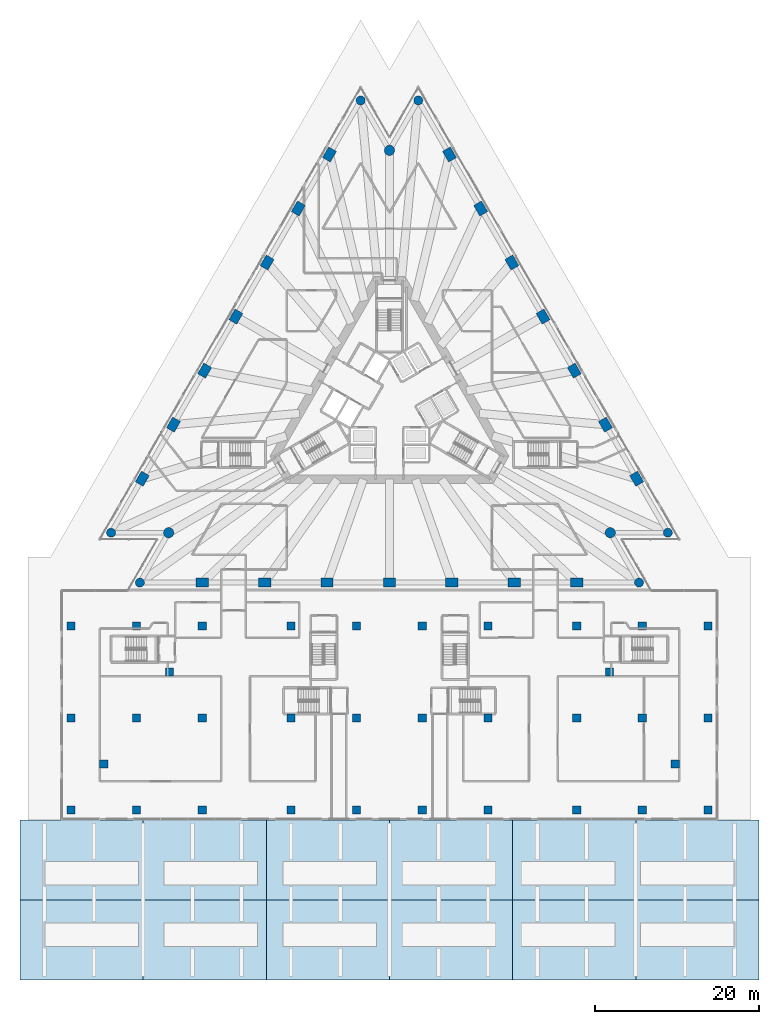
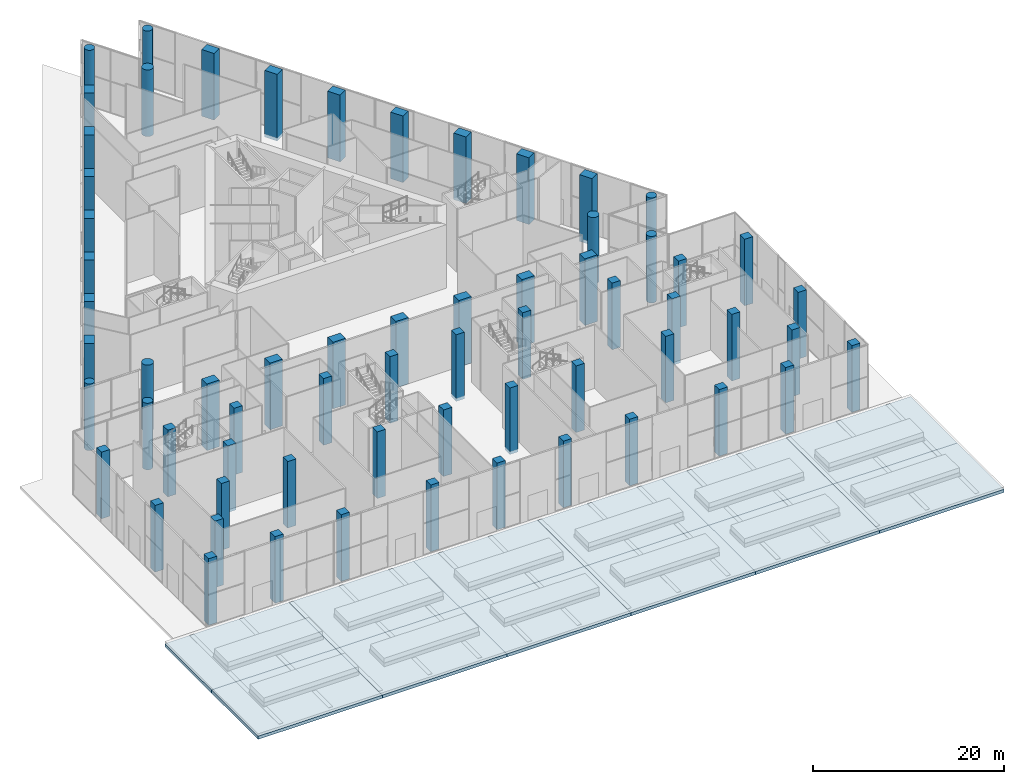
# One storey, part 1 of 41: 64 columns, 12 footings.
"""IFC4 building model written with IfcOpenShell, lengths in metres."""

from ifc_helpers import new_model, si_unit, direction, frame, origin, origin_2d, place, context, subcontext, project, spatial, polyline, rectangle, circle, outline, extrude, material, layer, layer_set, material_profile, profile_set, type_object, element, save


model = new_model("IFC4")

# Units and contexts
model_context = context("Model", 3, precision=1e-05, world=origin(), true_north=direction((0.0, 1.0)))
body_context = subcontext(model_context, "Body", "Model", "MODEL_VIEW")
ifc_project = project(units=[si_unit("LENGTHUNIT", "METRE"), si_unit("AREAUNIT", "SQUARE_METRE"), si_unit("VOLUMEUNIT", "CUBIC_METRE"), si_unit("PLANEANGLEUNIT", "RADIAN"), si_unit("MASSUNIT", "GRAM", prefix="KILO")], contexts=[model_context])

# Site, building, storey
site_placement = place(None, origin())
site = spatial("IfcSite", under=ifc_project, at=site_placement, CompositionType="ELEMENT")
building_placement = place(site_placement, origin())
building = spatial("IfcBuilding", under=site, at=building_placement, Name="Triada Interchange Tower", CompositionType="ELEMENT")
storey_placement = place(building_placement, origin())
storey = spatial("IfcBuildingStorey", under=building, at=storey_placement, Name="L00", CompositionType="ELEMENT", Elevation=0.0)

# Footings
ifc_material_1 = material(Name="Concrete C30/37", Category="concrete")
ifc_layer = layer(ifc_material_1, 0.39990234375)
ifc_layer_set = layer_set([ifc_layer], Name="Concrete C30/37")
footing_type = type_object("IfcFootingType", Name="Plaza ground slab 400", PredefinedType="USERDEFINED", material=ifc_layer_set)
footing_1_placement = place(storey_placement, frame((0.0, 0.0, -0.699951171875)))
element("IfcFooting", 1, at=footing_1_placement, inside=storey, type_object=footing_type, Name="Plaza ground slab 01", ObjectType="GROUND SLAB", PredefinedType="USERDEFINED", context=body_context, shape_type="SweptSolid", body=[
    extrude(outline(polyline([(-30.0, -70.0), (-30.0, -60.25), (-45.0, -60.25), (-45.0, -70.0), (-30.0, -70.0)])), origin(), (0.0, 0.0, 1.0), 0.39990234375),
])
footing_2_placement = place(storey_placement, frame((0.0, 0.0, -0.699951171875)))
element("IfcFooting", 2, at=footing_2_placement, inside=storey, type_object=footing_type, Name="Plaza ground slab 02", ObjectType="GROUND SLAB", PredefinedType="USERDEFINED", context=body_context, shape_type="SweptSolid", body=[
    extrude(outline(polyline([(-45.0, -60.25), (-30.0, -60.25), (-30.0, -50.5), (-40.0, -50.5), (-45.0, -50.5), (-45.0, -60.25)])), origin(), (0.0, 0.0, 1.0), 0.39990234375),
])
footing_3_placement = place(storey_placement, frame((0.0, 0.0, -0.699951171875)))
element("IfcFooting", 3, at=footing_3_placement, inside=storey, type_object=footing_type, Name="Plaza ground slab 03", ObjectType="GROUND SLAB", PredefinedType="USERDEFINED", context=body_context, shape_type="SweptSolid", body=[
    extrude(outline(polyline([(-15.0, -70.0), (-15.0, -60.25), (-30.0, -60.25), (-30.0, -70.0), (-15.0, -70.0)])), origin(), (0.0, 0.0, 1.0), 0.39990234375),
])
footing_4_placement = place(storey_placement, frame((0.0, 0.0, -0.699951171875)))
element("IfcFooting", 4, at=footing_4_placement, inside=storey, type_object=footing_type, Name="Plaza ground slab 04", ObjectType="GROUND SLAB", PredefinedType="USERDEFINED", context=body_context, shape_type="SweptSolid", body=[
    extrude(outline(polyline([(-30.0, -50.5), (-30.0, -60.25), (-15.0, -60.25), (-15.0, -50.5), (-30.0, -50.5)])), origin(), (0.0, 0.0, 1.0), 0.39990234375),
])
footing_5_placement = place(storey_placement, frame((0.0, 0.0, -0.699951171875)))
element("IfcFooting", 5, at=footing_5_placement, inside=storey, type_object=footing_type, Name="Plaza ground slab 05", ObjectType="GROUND SLAB", PredefinedType="USERDEFINED", context=body_context, shape_type="SweptSolid", body=[
    extrude(outline(polyline([(0.0, -70.0), (0.0, -60.25), (-15.0, -60.25), (-15.0, -70.0), (0.0, -70.0)])), origin(), (0.0, 0.0, 1.0), 0.39990234375),
])
footing_6_placement = place(storey_placement, frame((0.0, 0.0, -0.699951171875)))
element("IfcFooting", 6, at=footing_6_placement, inside=storey, type_object=footing_type, Name="Plaza ground slab 06", ObjectType="GROUND SLAB", PredefinedType="USERDEFINED", context=body_context, shape_type="SweptSolid", body=[
    extrude(outline(polyline([(-15.0, -50.5), (-15.0, -60.25), (0.0, -60.25), (0.0, -50.5), (-15.0, -50.5)])), origin(), (0.0, 0.0, 1.0), 0.39990234375),
])
footing_7_placement = place(storey_placement, frame((0.0, 0.0, -0.699951171875)))
element("IfcFooting", 7, at=footing_7_placement, inside=storey, type_object=footing_type, Name="Plaza ground slab 07", ObjectType="GROUND SLAB", PredefinedType="USERDEFINED", context=body_context, shape_type="SweptSolid", body=[
    extrude(outline(polyline([(15.0, -70.0), (15.0, -60.25), (0.0, -60.25), (0.0, -70.0), (15.0, -70.0)])), origin(), (0.0, 0.0, 1.0), 0.39990234375),
])
footing_8_placement = place(storey_placement, frame((0.0, 0.0, -0.699951171875)))
element("IfcFooting", 8, at=footing_8_placement, inside=storey, type_object=footing_type, Name="Plaza ground slab 08", ObjectType="GROUND SLAB", PredefinedType="USERDEFINED", context=body_context, shape_type="SweptSolid", body=[
    extrude(outline(polyline([(0.0, -50.5), (0.0, -60.25), (15.0, -60.25), (15.0, -50.5), (0.0, -50.5)])), origin(), (0.0, 0.0, 1.0), 0.39990234375),
])
footing_9_placement = place(storey_placement, frame((0.0, 0.0, -0.699951171875)))
element("IfcFooting", 9, at=footing_9_placement, inside=storey, type_object=footing_type, Name="Plaza ground slab 09", ObjectType="GROUND SLAB", PredefinedType="USERDEFINED", context=body_context, shape_type="SweptSolid", body=[
    extrude(outline(polyline([(30.0, -70.0), (30.0, -60.25), (15.0, -60.25), (15.0, -70.0), (30.0, -70.0)])), origin(), (0.0, 0.0, 1.0), 0.39990234375),
])
footing_10_placement = place(storey_placement, frame((0.0, 0.0, -0.699951171875)))
element("IfcFooting", 10, at=footing_10_placement, inside=storey, type_object=footing_type, Name="Plaza ground slab 10", ObjectType="GROUND SLAB", PredefinedType="USERDEFINED", context=body_context, shape_type="SweptSolid", body=[
    extrude(outline(polyline([(15.0, -50.5), (15.0, -60.25), (30.0, -60.25), (30.0, -50.5), (15.0, -50.5)])), origin(), (0.0, 0.0, 1.0), 0.39990234375),
])
footing_11_placement = place(storey_placement, frame((0.0, 0.0, -0.699951171875)))
element("IfcFooting", 11, at=footing_11_placement, inside=storey, type_object=footing_type, Name="Plaza ground slab 11", ObjectType="GROUND SLAB", PredefinedType="USERDEFINED", context=body_context, shape_type="SweptSolid", body=[
    extrude(outline(polyline([(45.0, -60.25), (30.0, -60.25), (30.0, -70.0), (45.0, -70.0), (45.0, -60.25)])), origin(), (0.0, 0.0, 1.0), 0.39990234375),
])
footing_12_placement = place(storey_placement, frame((0.0, 0.0, -0.699951171875)))
element("IfcFooting", 12, at=footing_12_placement, inside=storey, type_object=footing_type, Name="Plaza ground slab 12", ObjectType="GROUND SLAB", PredefinedType="USERDEFINED", context=body_context, shape_type="SweptSolid", body=[
    extrude(outline(polyline([(45.0, -50.5), (40.0, -50.5), (30.0, -50.5), (30.0, -60.25), (45.0, -60.25), (45.0, -50.5)])), origin(), (0.0, 0.0, 1.0), 0.39990234375),
])

# Columns
ifc_material_2 = material(Name="Concrete C70/85", Category="concrete")
ifc_material_profile_1 = material_profile(ifc_material_2, rectangle(XDim=1.5, YDim=1.10009765625, at=origin_2d()), Name="RC 1500x1100")
ifc_profile_set_1 = profile_set([ifc_material_profile_1], Name="Concrete C70/85")
column_type_1 = type_object("IfcColumnType", Name="Column P face RC 1500x1100", PredefinedType="COLUMN", material=ifc_profile_set_1)
for number, where, z_axis, x_axis, name in (
    (13, (-7.306884765625, 30.5439453125, -0.39990234375), (0.0, 0.0, 1.0), (0.5, 0.866025403784, 0.0), "Column CP02 L00"),
    (14, (-11.10595703125, 23.9619140625, -0.39990234375), (0.0, 0.0, 1.0), (0.5, 0.866025403784, 0.0), "Column CP03 L00"),
    (15, (-14.906005859375, 17.381103515625, -0.39990234375), (0.0, 0.0, 1.0), (0.5, 0.866025403784, 0.0), "Column CP04 L00"),
    (16, (-18.7060546875, 10.800048828125, -0.39990234375), (0.0, 0.0, 1.0), (0.5, 0.866025403784, 0.0), "Column CP05 L00"),
    (17, (-22.506103515625, 4.218994140625, -0.39990234375), (0.0, 0.0, 1.0), (0.5, 0.866025403784, 0.0), "Column CP06 L00"),
    (18, (-26.305908203125, -2.362060546875, -0.39990234375), (0.0, 0.0, 1.0), (0.5, 0.866025403784, 0.0), "Column CP07 L00"),
    (19, (-30.10498046875, -8.944091796875, -0.39990234375), (0.0, 0.0, 1.0), (0.5, 0.866025403784, 0.0), "Column CP08 L00"),
    (20, (-22.798095703125, -21.60009765625, -0.39990234375), (0.0, 0.0, 1.0), (1.0, 0.0, 0.0), "Column CP11 L00"),
    (21, (-15.197998046875, -21.60009765625, -0.39990234375), (0.0, 0.0, 1.0), (1.0, 0.0, 0.0), "Column CP12 L00"),
    (22, (-7.59912109375, -21.60009765625, -0.39990234375), (0.0, 0.0, 1.0), (1.0, 0.0, 0.0), "Column CP13 L00"),
    (23, (0.0, -21.60009765625, -0.39990234375), (0.0, 0.0, 1.0), (1.0, 0.0, 0.0), "Column CP14 L00"),
    (24, (7.59912109375, -21.60009765625, -0.39990234375), (0.0, 0.0, 1.0), (1.0, 0.0, 0.0), "Column CP15 L00"),
    (25, (15.198974609375, -21.60009765625, -0.39990234375), (0.0, 0.0, 1.0), (1.0, 0.0, 0.0), "Column CP16 L00"),
    (26, (22.798095703125, -21.60009765625, -0.39990234375), (0.0, 0.0, 1.0), (1.0, 0.0, 0.0), "Column CP17 L00"),
    (27, (30.10498046875, -8.944091796875, -0.39990234375), (0.0, 0.0, 1.0), (-0.5, 0.866025403784, 0.0), "Column CP20 L00"),
    (28, (26.305908203125, -2.363037109375, -0.39990234375), (0.0, 0.0, 1.0), (-0.5, 0.866025403784, 0.0), "Column CP21 L00"),
    (29, (22.506103515625, 4.218994140625, -0.39990234375), (0.0, 0.0, 1.0), (-0.5, 0.866025403784, 0.0), "Column CP22 L00"),
    (30, (18.7060546875, 10.800048828125, -0.39990234375), (0.0, 0.0, 1.0), (-0.5, 0.866025403784, 0.0), "Column CP23 L00"),
    (31, (14.906005859375, 17.381103515625, -0.39990234375), (0.0, 0.0, 1.0), (-0.5, 0.866025403784, 0.0), "Column CP24 L00"),
    (32, (11.10595703125, 23.9619140625, -0.39990234375), (0.0, 0.0, 1.0), (-0.5, 0.866025403784, 0.0), "Column CP25 L00"),
    (33, (7.306884765625, 30.5439453125, -0.39990234375), (0.0, 0.0, 1.0), (-0.5, 0.866025403784, 0.0), "Column CP26 L00"),
):
    element("IfcColumn", number, at=place(storey_placement, frame(where, z_axis=z_axis, x_axis=x_axis)), inside=storey, type_object=column_type_1, Name=name, PredefinedType="COLUMN", context=body_context, shape_type="SweptSolid", body=[
        extrude(rectangle(XDim=1.5, YDim=1.10009765625, at=origin_2d()), origin(), (0.0, 0.0, 1.0), 8.5),
    ])
ifc_material_3 = material(Name="Concrete C50/60", Category="concrete")
ifc_material_profile_2 = material_profile(ifc_material_3, rectangle(XDim=1.0, YDim=1.0, at=origin_2d()), Name="RC 1000x1000")
ifc_profile_set_2 = profile_set([ifc_material_profile_2], Name="Concrete C50/60")
column_type_2 = type_object("IfcColumnType", Name="Column X annex RC 1000x1000", PredefinedType="COLUMN", material=ifc_profile_set_2)
for number, where, z_axis, x_axis, name in (
    (34, (-38.800048828125, -49.300048828125, -0.39990234375), (0.0, 0.0, 1.0), (1.0, 0.0, 0.0), "Column CX001 L00"),
    (35, (-30.800048828125, -49.300048828125, -0.39990234375), (0.0, 0.0, 1.0), (1.0, 0.0, 0.0), "Column CX002 L00"),
    (36, (-22.800048828125, -49.300048828125, -0.39990234375), (0.0, 0.0, 1.0), (1.0, 0.0, 0.0), "Column CX003 L00"),
    (37, (-12.0, -49.300048828125, -0.39990234375), (0.0, 0.0, 1.0), (1.0, 0.0, 0.0), "Column CX004 L00"),
    (38, (-4.0, -49.300048828125, -0.39990234375), (0.0, 0.0, 1.0), (1.0, 0.0, 0.0), "Column CX005 L00"),
    (39, (4.0, -49.300048828125, -0.39990234375), (0.0, 0.0, 1.0), (1.0, 0.0, 0.0), "Column CX006 L00"),
    (40, (12.0, -49.300048828125, -0.39990234375), (0.0, 0.0, 1.0), (1.0, 0.0, 0.0), "Column CX007 L00"),
    (41, (22.800048828125, -49.300048828125, -0.39990234375), (0.0, 0.0, 1.0), (1.0, 0.0, 0.0), "Column CX008 L00"),
    (42, (30.800048828125, -49.300048828125, -0.39990234375), (0.0, 0.0, 1.0), (1.0, 0.0, 0.0), "Column CX009 L00"),
    (43, (38.800048828125, -49.300048828125, -0.39990234375), (0.0, 0.0, 1.0), (1.0, 0.0, 0.0), "Column CX010 L00"),
    (44, (-34.800048828125, -43.699951171875, -0.39990234375), (0.0, 0.0, 1.0), (1.0, 0.0, 0.0), "Column CX011 L00"),
    (45, (34.800048828125, -43.699951171875, -0.39990234375), (0.0, 0.0, 1.0), (1.0, 0.0, 0.0), "Column CX020 L00"),
    (46, (-38.800048828125, -38.10009765625, -0.39990234375), (0.0, 0.0, 1.0), (1.0, 0.0, 0.0), "Column CX021 L00"),
    (47, (-30.800048828125, -38.10009765625, -0.39990234375), (0.0, 0.0, 1.0), (1.0, 0.0, 0.0), "Column CX023 L00"),
    (48, (-22.800048828125, -38.10009765625, -0.39990234375), (0.0, 0.0, 1.0), (1.0, 0.0, 0.0), "Column CX024 L00"),
    (49, (-12.0, -38.10009765625, -0.39990234375), (0.0, 0.0, 1.0), (1.0, 0.0, 0.0), "Column CX025 L00"),
    (50, (-4.0, -38.10009765625, -0.39990234375), (0.0, 0.0, 1.0), (1.0, 0.0, 0.0), "Column CX026 L00"),
    (51, (4.0, -38.10009765625, -0.39990234375), (0.0, 0.0, 1.0), (1.0, 0.0, 0.0), "Column CX027 L00"),
    (52, (12.0, -38.10009765625, -0.39990234375), (0.0, 0.0, 1.0), (1.0, 0.0, 0.0), "Column CX028 L00"),
    (53, (22.800048828125, -38.10009765625, -0.39990234375), (0.0, 0.0, 1.0), (1.0, 0.0, 0.0), "Column CX029 L00"),
    (54, (30.800048828125, -38.10009765625, -0.39990234375), (0.0, 0.0, 1.0), (1.0, 0.0, 0.0), "Column CX030 L00"),
    (55, (38.800048828125, -38.10009765625, -0.39990234375), (0.0, 0.0, 1.0), (1.0, 0.0, 0.0), "Column CX032 L00"),
    (56, (-26.800048828125, -32.5, -0.39990234375), (0.0, 0.0, 1.0), (1.0, 0.0, 0.0), "Column CX033 L00"),
    (57, (26.800048828125, -32.5, -0.39990234375), (0.0, 0.0, 1.0), (1.0, 0.0, 0.0), "Column CX040 L00"),
    (58, (-38.800048828125, -26.89990234375, -0.39990234375), (0.0, 0.0, 1.0), (1.0, 0.0, 0.0), "Column CX041 L00"),
    (59, (-30.800048828125, -26.89990234375, -0.39990234375), (0.0, 0.0, 1.0), (1.0, 0.0, 0.0), "Column CX043 L00"),
    (60, (-22.800048828125, -26.89990234375, -0.39990234375), (0.0, 0.0, 1.0), (1.0, 0.0, 0.0), "Column CX045 L00"),
    (61, (-12.0, -26.89990234375, -0.39990234375), (0.0, 0.0, 1.0), (1.0, 0.0, 0.0), "Column CX046 L00"),
    (62, (-4.0, -26.89990234375, -0.39990234375), (0.0, 0.0, 1.0), (1.0, 0.0, 0.0), "Column CX047 L00"),
    (63, (4.0, -26.89990234375, -0.39990234375), (0.0, 0.0, 1.0), (1.0, 0.0, 0.0), "Column CX048 L00"),
    (64, (12.0, -26.89990234375, -0.39990234375), (0.0, 0.0, 1.0), (1.0, 0.0, 0.0), "Column CX049 L00"),
    (65, (22.800048828125, -26.89990234375, -0.39990234375), (0.0, 0.0, 1.0), (1.0, 0.0, 0.0), "Column CX050 L00"),
    (66, (30.800048828125, -26.89990234375, -0.39990234375), (0.0, 0.0, 1.0), (1.0, 0.0, 0.0), "Column CX052 L00"),
    (67, (38.800048828125, -26.89990234375, -0.39990234375), (0.0, 0.0, 1.0), (1.0, 0.0, 0.0), "Column CX054 L00"),
):
    element("IfcColumn", number, at=place(storey_placement, frame(where, z_axis=z_axis, x_axis=x_axis)), inside=storey, type_object=column_type_2, Name=name, PredefinedType="COLUMN", context=body_context, shape_type="SweptSolid", body=[
        extrude(rectangle(XDim=1.0, YDim=1.0, at=origin_2d()), origin(), (0.0, 0.0, 1.0), 8.5),
    ])
ifc_material_profile_3 = material_profile(ifc_material_2, circle(Radius=0.550048828125, at=origin_2d()), Name="RC D1100")
ifc_profile_set_3 = profile_set([ifc_material_profile_3], Name="Concrete C70/85")
column_type_3 = type_object("IfcColumnType", Name="End column P RC D1100", PredefinedType="COLUMN", material=ifc_profile_set_3)
for number, where, z_axis, x_axis, name in (
    (68, (-3.507080078125, 37.125, -0.39990234375), (0.0, 0.0, 1.0), (0.5, 0.866025403784, 0.0), "Column CP01 L00"),
    (69, (-33.905029296875, -15.52490234375, -0.39990234375), (0.0, 0.0, 1.0), (0.5, 0.866025403784, 0.0), "Column CP09 L00"),
    (70, (-30.39697265625, -21.60009765625, -0.39990234375), (0.0, 0.0, 1.0), (1.0, 0.0, 0.0), "Column CP10 L00"),
    (71, (30.39697265625, -21.60009765625, -0.39990234375), (0.0, 0.0, 1.0), (1.0, 0.0, 0.0), "Column CP18 L00"),
    (72, (33.905029296875, -15.52490234375, -0.39990234375), (0.0, 0.0, 1.0), (-0.5, 0.866025403784, 0.0), "Column CP19 L00"),
    (73, (3.507080078125, 37.125, -0.39990234375), (0.0, 0.0, 1.0), (-0.5, 0.866025403784, 0.0), "Column CP27 L00"),
):
    element("IfcColumn", number, at=place(storey_placement, frame(where, z_axis=z_axis, x_axis=x_axis)), inside=storey, type_object=column_type_3, Name=name, PredefinedType="COLUMN", context=body_context, shape_type="SweptSolid", body=[
        extrude(circle(Radius=0.550048828125, at=origin_2d()), origin(), (0.0, 0.0, 1.0), 8.5),
    ])
ifc_material_profile_4 = material_profile(ifc_material_2, circle(Radius=0.625, at=origin_2d()), Name="RC D1250")
ifc_profile_set_4 = profile_set([ifc_material_profile_4], Name="Concrete C70/85")
column_type_4 = type_object("IfcColumnType", Name="Mega column P RC D1250", PredefinedType="COLUMN", material=ifc_profile_set_4)
for number, where, z_axis, x_axis, name in (
    (74, (0.0, 31.050048828125, -0.39990234375), (0.0, 0.0, 1.0), (1.0, 0.0, 0.0), "Column MP1 L00"),
    (75, (-26.889892578125, -15.52490234375, -0.39990234375), (0.0, 0.0, 1.0), (1.0, 0.0, 0.0), "Column MP2 L00"),
    (76, (26.889892578125, -15.52490234375, -0.39990234375), (0.0, 0.0, 1.0), (1.0, 0.0, 0.0), "Column MP3 L00"),
):
    element("IfcColumn", number, at=place(storey_placement, frame(where, z_axis=z_axis, x_axis=x_axis)), inside=storey, type_object=column_type_4, Name=name, PredefinedType="COLUMN", context=body_context, shape_type="SweptSolid", body=[
        extrude(circle(Radius=0.625, at=origin_2d()), origin(), (0.0, 0.0, 1.0), 8.5),
    ])

save(model, "model.ifc")
